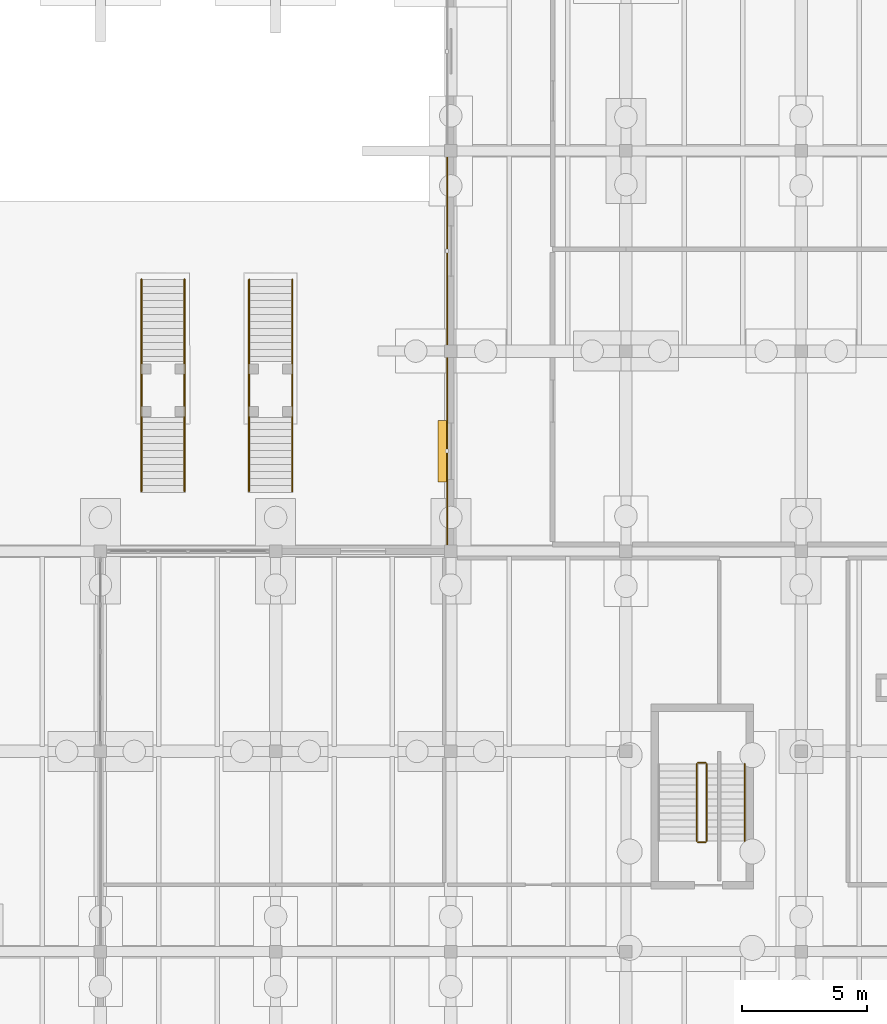
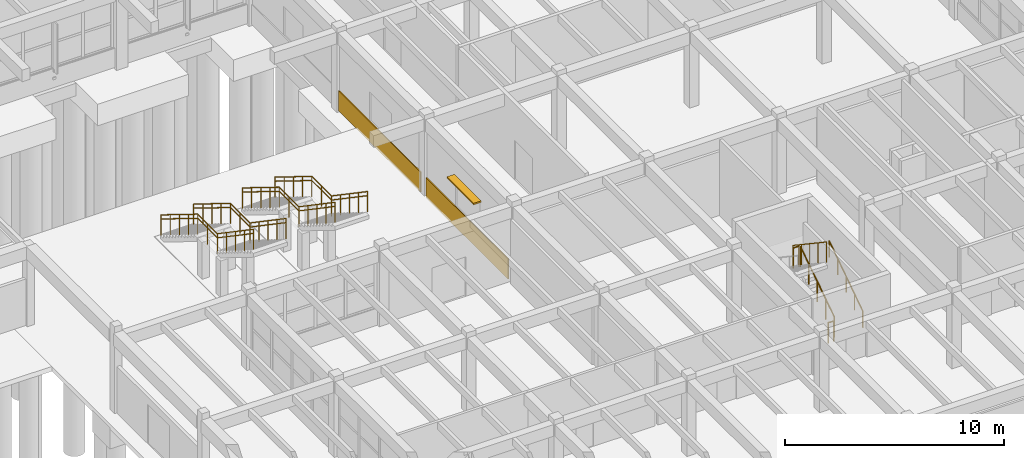
# One storey, part 95 of 99: 13 railings, 2 coverings, 1 shading device.
"""IFC4 building model written with IfcOpenShell, lengths in metres."""

import ifcopenshell
import ifcopenshell.guid

model = None  # the IFC model being written
_history = None  # IfcOwnerHistory: only IFC2X3 demands one
_inside = {}  # id of a spatial element -> (the spatial element, [elements in it])
_under = {}  # id of a project, library or spatial element -> (it, [spatial elements below it])
_declared = {}  # id of a project -> (the project, [libraries it declares])
_typed = {}  # id of a type object -> (the type object, [elements of that type])
_made_of = {}  # id of a material, layer set ... -> (it, [elements and type objects made of it])


def new_model(schema):
    """Start an empty IFC model of exactly this schema.

    Asked for "IFC4X3", IfcOpenShell would pick the latest addendum, in which some entities
    have other attributes; the version numbers below select the first issue.
    IFC2X3 requires an IfcOwnerHistory on every rooted entity: one is made here for all.
    """
    global model, _history
    if schema == "IFC4X3":
        model = ifcopenshell.file(schema_version=(4, 3, 0, 0))
    else:
        model = ifcopenshell.file(schema=schema)
    _inside.clear()
    _under.clear()
    _declared.clear()
    _typed.clear()
    _made_of.clear()
    _history = None
    if model.schema == "IFC2X3":
        org = make("IfcOrganization", Name="unknown")
        user = make(
            "IfcPersonAndOrganization",
            ThePerson=make("IfcPerson", FamilyName="unknown"),
            TheOrganization=org,
        )
        app = make(
            "IfcApplication",
            ApplicationDeveloper=org,
            Version="unknown",
            ApplicationFullName="unknown",
            ApplicationIdentifier="unknown",
        )
        _history = make(
            "IfcOwnerHistory",
            OwningUser=user,
            OwningApplication=app,
            ChangeAction="ADDED",
            CreationDate=0,
        )
    return model


def make(cls, **values):
    """One entity of the class cls with the attributes given. An attribute that is None is left unset."""
    return model.create_entity(
        cls, **{name: value for name, value in values.items() if value is not None}
    )


def rooted(cls, **values):
    """An entity with a GlobalId (a new one), such as an element, a storey or a relation."""
    return make(cls, GlobalId=ifcopenshell.guid.new(), OwnerHistory=_history, **values)


def si_unit(unit_type, name, prefix=None):
    """IfcSIUnit, for example si_unit("LENGTHUNIT", "METRE", prefix="MILLI")."""
    return make("IfcSIUnit", UnitType=unit_type, Prefix=prefix, Name=name)


def assignment(units):
    """IfcUnitAssignment: the units of a project."""
    return None if units is None else make("IfcUnitAssignment", Units=units)


def point(xyz):
    """IfcCartesianPoint."""
    return None if xyz is None else make("IfcCartesianPoint", Coordinates=xyz)


def direction(xyz):
    """IfcDirection."""
    return None if xyz is None else make("IfcDirection", DirectionRatios=xyz)


def frame(location, z_axis=None, x_axis=None):
    """IfcAxis2Placement3D, a coordinate frame: its origin and axes. An axis left out is left unset."""
    return make(
        "IfcAxis2Placement3D",
        Location=point(location),
        Axis=direction(z_axis),
        RefDirection=direction(x_axis),
    )


def frame_2d(location, x_axis=None):
    """IfcAxis2Placement2D, a coordinate frame in the plane: its origin and x axis."""
    return make(
        "IfcAxis2Placement2D", Location=point(location), RefDirection=direction(x_axis)
    )


def origin():
    """The frame at (0, 0, 0) with its axes left unset."""
    return frame((0.0, 0.0, 0.0))


def origin_2d():
    """The frame at (0, 0) in the plane with its x axis left unset."""
    return frame_2d((0.0, 0.0))


def place(relative_to, where):
    """IfcLocalPlacement: puts the frame where relative to a parent placement (None: the world)."""
    return make(
        "IfcLocalPlacement", PlacementRelTo=relative_to, RelativePlacement=where
    )


def context(
    kind, dimensions, precision=None, world=None, true_north=None, identifier=None
):
    """IfcGeometricRepresentationContext, for example the 3D "Model" context."""
    return make(
        "IfcGeometricRepresentationContext",
        ContextIdentifier=identifier,
        ContextType=kind,
        CoordinateSpaceDimension=dimensions,
        Precision=precision,
        WorldCoordinateSystem=world,
        TrueNorth=true_north,
    )


def subcontext(parent, identifier, kind, view, scale=None):
    """IfcGeometricRepresentationSubContext, for example "Body" below "Model"."""
    return make(
        "IfcGeometricRepresentationSubContext",
        ContextIdentifier=identifier,
        ContextType=kind,
        ParentContext=parent,
        TargetScale=scale,
        TargetView=view,
    )


def project(units=None, contexts=None):
    """IfcProject with its units and contexts."""
    return rooted(
        "IfcProject",
        Name="project",
        RepresentationContexts=contexts,
        UnitsInContext=assignment(units),
    )


def spatial(cls, under=None, at=None, **own):
    """A site, building, storey or space (cls), placed at a placement, below another one or the project."""
    s = rooted(cls, ObjectPlacement=at, **own)
    if under is not None:
        _under.setdefault(under.id(), (under, []))[1].append(s)
    return s


def polyline(points):
    """IfcPolyline through the points."""
    return make("IfcPolyline", Points=[point(p) for p in points])


def profile(cls, at=None, kind="AREA", **sizes):
    """A parametric profile (cls). Its sizes go by their IFC names, for example OverallWidth=200.0."""
    return make(cls, ProfileType=kind, Position=at, **sizes)


def rectangle(**sizes):
    """IfcRectangleProfileDef."""
    return profile("IfcRectangleProfileDef", **sizes)


def circle(**sizes):
    """IfcCircleProfileDef."""
    return profile("IfcCircleProfileDef", **sizes)


def outline(outer, holes=None, kind="AREA"):
    """IfcArbitraryClosedProfileDef: a profile drawn as a closed curve; with holes, ...WithVoids."""
    if holes is None:
        return make("IfcArbitraryClosedProfileDef", ProfileType=kind, OuterCurve=outer)
    return make(
        "IfcArbitraryProfileDefWithVoids",
        ProfileType=kind,
        OuterCurve=outer,
        InnerCurves=holes,
    )


def extrude(swept, where, along, depth):
    """IfcExtrudedAreaSolid: the profile swept, set in the frame where, extruded along a direction by depth."""
    return make(
        "IfcExtrudedAreaSolid",
        SweptArea=swept,
        Position=where,
        ExtrudedDirection=direction(along),
        Depth=depth,
    )


def shape(context_of_items, identifier, shape_type, items):
    """IfcShapeRepresentation: the items that make up one representation, for example the "Body"."""
    return make(
        "IfcShapeRepresentation",
        ContextOfItems=context_of_items,
        RepresentationIdentifier=identifier,
        RepresentationType=shape_type,
        Items=items,
    )


def material(Name=None, Category=None):
    """IfcMaterial."""
    return make("IfcMaterial", Name=Name, Category=Category)


def layer(
    of_material, thickness, ventilated=None, Name=None, Category=None, Priority=None
):
    """IfcMaterialLayer: one layer of a wall or slab, of a material (None: an air gap)."""
    return make(
        "IfcMaterialLayer",
        Material=of_material,
        LayerThickness=thickness,
        IsVentilated=ventilated,
        Name=Name,
        Category=Category,
        Priority=Priority,
    )


def layer_set(layers, Name=None):
    """IfcMaterialLayerSet."""
    return make("IfcMaterialLayerSet", MaterialLayers=layers, LayerSetName=Name)


def made_of(thing, what):
    """Note that an element or type object is made of a material, layer set ...; save() writes the relation."""
    if what is not None:
        _made_of.setdefault(what.id(), (what, []))[1].append(thing)
    return thing


def type_object(cls, material=None, **own):
    """A type object (cls), such as IfcWallType, which elements share."""
    return made_of(rooted(cls, **own), material)


def element(
    cls,
    number,
    at=None,
    inside=None,
    cuts=None,
    type_object=None,
    material=None,
    context=None,
    identifier="Body",
    shape_type=None,
    held_by="IfcProductDefinitionShape",
    body=None,
    shapes=None,
    **own,
):
    """One element of the class cls, such as IfcWall. Its Tag is "e" and its number.

    at: its placement. inside: the storey or other place that contains it. cuts: it is an
    opening in that element (IfcRelVoidsElement). A single representation is given by context,
    identifier, shape_type and body (its items); several are given by shapes. held_by: the class
    of the entity that holds the representations. save() writes the other relations.
    """
    e = rooted(cls, Tag="e%d" % number, ObjectPlacement=at, **own)
    if body is not None:
        shapes = [shape(context, identifier, shape_type, body)]
    if shapes is not None:
        e.Representation = make(held_by, Representations=shapes)
    if inside is not None:
        _inside.setdefault(inside.id(), (inside, []))[1].append(e)
    if cuts is not None:
        rooted(
            "IfcRelVoidsElement", RelatingBuildingElement=cuts, RelatedOpeningElement=e
        )
    if type_object is not None:
        _typed.setdefault(type_object.id(), (type_object, []))[1].append(e)
    return made_of(e, material)


def aggregate(whole, parts):
    """IfcRelAggregates: a whole, such as a stair, and the parts it consists of."""
    return rooted("IfcRelAggregates", RelatingObject=whole, RelatedObjects=parts)


def save(model, path):
    """Write the relations noted so far, then the file.

    IfcRelAggregates (storeys below a building ...), IfcRelContainedInSpatialStructure (elements
    in a storey), IfcRelDefinesByType, IfcRelAssociatesMaterial and IfcRelDeclares: one each for
    every whole, place, type object, material and project.
    """
    for whole, parts in _under.values():
        aggregate(whole, parts)
    for where, things in _inside.values():
        rooted(
            "IfcRelContainedInSpatialStructure",
            RelatedElements=things,
            RelatingStructure=where,
        )
    for kind, things in _typed.values():
        rooted("IfcRelDefinesByType", RelatedObjects=things, RelatingType=kind)
    for what, things in _made_of.values():
        rooted("IfcRelAssociatesMaterial", RelatedObjects=things, RelatingMaterial=what)
    for by, libraries in _declared.values():
        rooted("IfcRelDeclares", RelatingContext=by, RelatedDefinitions=libraries)
    model.write(path)


model = new_model("IFC4")

# Units and contexts
model_context = context("Model", 3, precision=1e-05, world=origin(), true_north=direction((0.0, 1.0)))
body_context = subcontext(model_context, "Body", "Model", "MODEL_VIEW")
ifc_project = project(units=[si_unit("LENGTHUNIT", "METRE"), si_unit("AREAUNIT", "SQUARE_METRE"), si_unit("VOLUMEUNIT", "CUBIC_METRE"), si_unit("PLANEANGLEUNIT", "RADIAN"), si_unit("MASSUNIT", "GRAM", prefix="KILO")], contexts=[model_context])

# Site, building, storey
site_placement = place(None, origin())
site = spatial("IfcSite", under=ifc_project, at=site_placement, CompositionType="ELEMENT")
building_placement = place(site_placement, origin())
building = spatial("IfcBuilding", under=site, at=building_placement, Name="Tonlespit Floodbar School", CompositionType="ELEMENT")
storey_placement = place(building_placement, origin())
storey = spatial("IfcBuildingStorey", under=building, at=storey_placement, Name="L00", CompositionType="ELEMENT", Elevation=0.0)

# Railings
ifc_material_1 = material(Name="Galvanised Steel", Category="steel")
railing_type_1 = type_object("IfcRailingType", Name="Balustrade_Ext_1150", PredefinedType="BALUSTRADE", material=ifc_material_1)
railing_1_placement = place(storey_placement, frame((135.639892578125, 90.860107421875, 0.173095703125)))
element("IfcRailing", 1, at=railing_1_placement, inside=storey, type_object=railing_type_1, Name="ST-H1 side guard 1", PredefinedType="BALUSTRADE", context=body_context, shape_type="SweptSolid", body=[
    extrude(circle(Radius=0.02392578125, at=origin_2d()), frame((0.0, 0.0, 1.1259765625), z_axis=(0.0, -0.850623216509, 0.525775754039), x_axis=(1.0, 0.0, 0.0)), (0.0, 0.0, 1.0), 3.9501953125),
    extrude(circle(Radius=0.02392578125, at=origin_2d()), frame((0.0, -3.360107421875, 3.20263671875), z_axis=(0.0, -1.0, 0.0), x_axis=(1.0, 0.0, 0.0)), (0.0, 0.0, 1.0), 1.800048828125),
    extrude(circle(Radius=0.02392578125, at=origin_2d()), frame((0.0, -5.16015625, 3.20263671875), z_axis=(0.0, -0.826231222393, 0.56333113454), x_axis=(1.0, 0.0, 0.0)), (0.0, 0.0, 1.0), 3.994140625),
    extrude(circle(Radius=0.02099609375, at=origin_2d()), origin(), (0.0, 0.0, 1.0), 1.101806640625),
    extrude(circle(Radius=0.02099609375, at=origin_2d()), frame((0.0, -0.840087890625, 0.519287109375)), (0.0, 0.0, 1.0), 1.101806640625),
    extrude(circle(Radius=0.02099609375, at=origin_2d()), frame((0.0, -1.68017578125, 1.03857421875)), (0.0, 0.0, 1.0), 1.101806640625),
    extrude(circle(Radius=0.02099609375, at=origin_2d()), frame((0.0, -2.52001953125, 1.5576171875)), (0.0, 0.0, 1.0), 1.101806640625),
    extrude(circle(Radius=0.02099609375, at=origin_2d()), frame((0.0, -3.360107421875, 2.076904296875)), (0.0, 0.0, 1.0), 1.101806640625),
    extrude(circle(Radius=0.02099609375, at=origin_2d()), frame((0.0, -4.26025390625, 2.076904296875)), (0.0, 0.0, 1.0), 1.101806640625),
    extrude(circle(Radius=0.02099609375, at=origin_2d()), frame((0.0, -5.16015625, 2.076904296875)), (0.0, 0.0, 1.0), 1.101806640625),
    extrude(circle(Radius=0.02099609375, at=origin_2d()), frame((0.0, -5.985107421875, 2.639404296875)), (0.0, 0.0, 1.0), 1.101806640625),
    extrude(circle(Radius=0.02099609375, at=origin_2d()), frame((0.0, -6.81005859375, 3.201904296875)), (0.0, 0.0, 1.0), 1.101806640625),
    extrude(circle(Radius=0.02099609375, at=origin_2d()), frame((0.0, -7.63525390625, 3.764404296875)), (0.0, 0.0, 1.0), 1.101806640625),
    extrude(circle(Radius=0.02099609375, at=origin_2d()), frame((0.0, -8.460205078125, 4.326904296875)), (0.0, 0.0, 1.0), 1.101806640625),
])
railing_2_placement = place(storey_placement, frame((137.360107421875, 90.860107421875, 0.173095703125)))
element("IfcRailing", 2, at=railing_2_placement, inside=storey, type_object=railing_type_1, Name="ST-H1 side guard 2", PredefinedType="BALUSTRADE", context=body_context, shape_type="SweptSolid", body=[
    extrude(circle(Radius=0.02392578125, at=origin_2d()), frame((0.0, 0.0, 1.1259765625), z_axis=(0.0, -0.850623216509, 0.525775754039), x_axis=(1.0, 0.0, 0.0)), (0.0, 0.0, 1.0), 3.9501953125),
    extrude(circle(Radius=0.02392578125, at=origin_2d()), frame((0.0, -3.360107421875, 3.20263671875), z_axis=(0.0, -1.0, 0.0), x_axis=(1.0, 0.0, 0.0)), (0.0, 0.0, 1.0), 1.800048828125),
    extrude(circle(Radius=0.02392578125, at=origin_2d()), frame((0.0, -5.16015625, 3.20263671875), z_axis=(0.0, -0.826231222393, 0.56333113454), x_axis=(1.0, 0.0, 0.0)), (0.0, 0.0, 1.0), 3.994140625),
    extrude(circle(Radius=0.02099609375, at=origin_2d()), origin(), (0.0, 0.0, 1.0), 1.101806640625),
    extrude(circle(Radius=0.02099609375, at=origin_2d()), frame((0.0, -0.840087890625, 0.519287109375)), (0.0, 0.0, 1.0), 1.101806640625),
    extrude(circle(Radius=0.02099609375, at=origin_2d()), frame((0.0, -1.68017578125, 1.03857421875)), (0.0, 0.0, 1.0), 1.101806640625),
    extrude(circle(Radius=0.02099609375, at=origin_2d()), frame((0.0, -2.52001953125, 1.5576171875)), (0.0, 0.0, 1.0), 1.101806640625),
    extrude(circle(Radius=0.02099609375, at=origin_2d()), frame((0.0, -3.360107421875, 2.076904296875)), (0.0, 0.0, 1.0), 1.101806640625),
    extrude(circle(Radius=0.02099609375, at=origin_2d()), frame((0.0, -4.26025390625, 2.076904296875)), (0.0, 0.0, 1.0), 1.101806640625),
    extrude(circle(Radius=0.02099609375, at=origin_2d()), frame((0.0, -5.16015625, 2.076904296875)), (0.0, 0.0, 1.0), 1.101806640625),
    extrude(circle(Radius=0.02099609375, at=origin_2d()), frame((0.0, -5.985107421875, 2.639404296875)), (0.0, 0.0, 1.0), 1.101806640625),
    extrude(circle(Radius=0.02099609375, at=origin_2d()), frame((0.0, -6.81005859375, 3.201904296875)), (0.0, 0.0, 1.0), 1.101806640625),
    extrude(circle(Radius=0.02099609375, at=origin_2d()), frame((0.0, -7.63525390625, 3.764404296875)), (0.0, 0.0, 1.0), 1.101806640625),
    extrude(circle(Radius=0.02099609375, at=origin_2d()), frame((0.0, -8.460205078125, 4.326904296875)), (0.0, 0.0, 1.0), 1.101806640625),
])
railing_3_placement = place(storey_placement, frame((139.93994140625, 90.860107421875, 0.173095703125)))
element("IfcRailing", 3, at=railing_3_placement, inside=storey, type_object=railing_type_1, Name="ST-H2 side guard 1", PredefinedType="BALUSTRADE", context=body_context, shape_type="SweptSolid", body=[
    extrude(circle(Radius=0.02392578125, at=origin_2d()), frame((0.0, 0.0, 1.1259765625), z_axis=(0.0, -0.850623216509, 0.525775754039), x_axis=(1.0, 0.0, 0.0)), (0.0, 0.0, 1.0), 3.9501953125),
    extrude(circle(Radius=0.02392578125, at=origin_2d()), frame((0.0, -3.360107421875, 3.20263671875), z_axis=(0.0, -1.0, 0.0), x_axis=(1.0, 0.0, 0.0)), (0.0, 0.0, 1.0), 1.800048828125),
    extrude(circle(Radius=0.02392578125, at=origin_2d()), frame((0.0, -5.16015625, 3.20263671875), z_axis=(0.0, -0.826231222393, 0.56333113454), x_axis=(1.0, 0.0, 0.0)), (0.0, 0.0, 1.0), 3.994140625),
    extrude(circle(Radius=0.02099609375, at=origin_2d()), origin(), (0.0, 0.0, 1.0), 1.101806640625),
    extrude(circle(Radius=0.02099609375, at=origin_2d()), frame((0.0, -0.840087890625, 0.519287109375)), (0.0, 0.0, 1.0), 1.101806640625),
    extrude(circle(Radius=0.02099609375, at=origin_2d()), frame((0.0, -1.68017578125, 1.03857421875)), (0.0, 0.0, 1.0), 1.101806640625),
    extrude(circle(Radius=0.02099609375, at=origin_2d()), frame((0.0, -2.52001953125, 1.5576171875)), (0.0, 0.0, 1.0), 1.101806640625),
    extrude(circle(Radius=0.02099609375, at=origin_2d()), frame((0.0, -3.360107421875, 2.076904296875)), (0.0, 0.0, 1.0), 1.101806640625),
    extrude(circle(Radius=0.02099609375, at=origin_2d()), frame((0.0, -4.26025390625, 2.076904296875)), (0.0, 0.0, 1.0), 1.101806640625),
    extrude(circle(Radius=0.02099609375, at=origin_2d()), frame((0.0, -5.16015625, 2.076904296875)), (0.0, 0.0, 1.0), 1.101806640625),
    extrude(circle(Radius=0.02099609375, at=origin_2d()), frame((0.0, -5.985107421875, 2.639404296875)), (0.0, 0.0, 1.0), 1.101806640625),
    extrude(circle(Radius=0.02099609375, at=origin_2d()), frame((0.0, -6.81005859375, 3.201904296875)), (0.0, 0.0, 1.0), 1.101806640625),
    extrude(circle(Radius=0.02099609375, at=origin_2d()), frame((0.0, -7.63525390625, 3.764404296875)), (0.0, 0.0, 1.0), 1.101806640625),
    extrude(circle(Radius=0.02099609375, at=origin_2d()), frame((0.0, -8.460205078125, 4.326904296875)), (0.0, 0.0, 1.0), 1.101806640625),
])
railing_4_placement = place(storey_placement, frame((141.659912109375, 90.860107421875, 0.173095703125)))
element("IfcRailing", 4, at=railing_4_placement, inside=storey, type_object=railing_type_1, Name="ST-H2 side guard 2", PredefinedType="BALUSTRADE", context=body_context, shape_type="SweptSolid", body=[
    extrude(circle(Radius=0.02392578125, at=origin_2d()), frame((0.0, 0.0, 1.1259765625), z_axis=(0.0, -0.850623216509, 0.525775754039), x_axis=(1.0, 0.0, 0.0)), (0.0, 0.0, 1.0), 3.9501953125),
    extrude(circle(Radius=0.02392578125, at=origin_2d()), frame((0.0, -3.360107421875, 3.20263671875), z_axis=(0.0, -1.0, 0.0), x_axis=(1.0, 0.0, 0.0)), (0.0, 0.0, 1.0), 1.800048828125),
    extrude(circle(Radius=0.02392578125, at=origin_2d()), frame((0.0, -5.16015625, 3.20263671875), z_axis=(0.0, -0.826231222393, 0.56333113454), x_axis=(1.0, 0.0, 0.0)), (0.0, 0.0, 1.0), 3.994140625),
    extrude(circle(Radius=0.02099609375, at=origin_2d()), origin(), (0.0, 0.0, 1.0), 1.101806640625),
    extrude(circle(Radius=0.02099609375, at=origin_2d()), frame((0.0, -0.840087890625, 0.519287109375)), (0.0, 0.0, 1.0), 1.101806640625),
    extrude(circle(Radius=0.02099609375, at=origin_2d()), frame((0.0, -1.68017578125, 1.03857421875)), (0.0, 0.0, 1.0), 1.101806640625),
    extrude(circle(Radius=0.02099609375, at=origin_2d()), frame((0.0, -2.52001953125, 1.5576171875)), (0.0, 0.0, 1.0), 1.101806640625),
    extrude(circle(Radius=0.02099609375, at=origin_2d()), frame((0.0, -3.360107421875, 2.076904296875)), (0.0, 0.0, 1.0), 1.101806640625),
    extrude(circle(Radius=0.02099609375, at=origin_2d()), frame((0.0, -4.26025390625, 2.076904296875)), (0.0, 0.0, 1.0), 1.101806640625),
    extrude(circle(Radius=0.02099609375, at=origin_2d()), frame((0.0, -5.16015625, 2.076904296875)), (0.0, 0.0, 1.0), 1.101806640625),
    extrude(circle(Radius=0.02099609375, at=origin_2d()), frame((0.0, -5.985107421875, 2.639404296875)), (0.0, 0.0, 1.0), 1.101806640625),
    extrude(circle(Radius=0.02099609375, at=origin_2d()), frame((0.0, -6.81005859375, 3.201904296875)), (0.0, 0.0, 1.0), 1.101806640625),
    extrude(circle(Radius=0.02099609375, at=origin_2d()), frame((0.0, -7.63525390625, 3.764404296875)), (0.0, 0.0, 1.0), 1.101806640625),
    extrude(circle(Radius=0.02099609375, at=origin_2d()), frame((0.0, -8.460205078125, 4.326904296875)), (0.0, 0.0, 1.0), 1.101806640625),
])

# Coverings
ifc_material_2 = material(Name="White Architectural Aluminium", Category="aluminium")
ifc_layer_1 = layer(ifc_material_2, 0.050048828125)
ifc_layer_set_1 = layer_set([ifc_layer_1], Name="White Architectural Aluminium")
covering_type = type_object("IfcCoveringType", Name="Cladding_WhiteBand_50", PredefinedType="CLADDING", material=ifc_layer_set_1)
covering_1_placement = place(storey_placement, frame((0.0, 0.0, -0.1201171875)))
element("IfcCovering", 5, at=covering_1_placement, inside=storey, type_object=covering_type, Name="L00 curved white spandrel cladding 0625", PredefinedType="CLADDING", context=body_context, shape_type="SweptSolid", body=[
    extrude(outline(polyline([(147.8798828125, 88.25), (147.8798828125, 95.75), (147.830078125, 95.75), (147.830078125, 88.25), (147.8798828125, 88.25)])), origin(), (0.0, 0.0, 1.0), 1.1201171875),
])
covering_2_placement = place(storey_placement, frame((0.0, 0.0, -0.1201171875)))
element("IfcCovering", 6, at=covering_2_placement, inside=storey, type_object=covering_type, Name="L00 curved white spandrel cladding 0626", PredefinedType="CLADDING", context=body_context, shape_type="SweptSolid", body=[
    extrude(outline(polyline([(147.8798828125, 80.25), (147.8798828125, 87.75), (147.830078125, 87.75), (147.830078125, 80.25), (147.8798828125, 80.25)])), origin(), (0.0, 0.0, 1.0), 1.1201171875),
])

# Railings
railing_type_2 = type_object("IfcRailingType", Name="Guard_Int_1150", PredefinedType="BALUSTRADE", material=ifc_material_1)
railing_5_placement = place(storey_placement, frame((158.22998046875, 68.419921875, 0.1875)))
element("IfcRailing", 7, at=railing_5_placement, inside=storey, type_object=railing_type_2, Name="L00 ST-C5 stair guard 1", PredefinedType="BALUSTRADE", context=body_context, shape_type="SweptSolid", body=[
    extrude(circle(Radius=0.02392578125, at=origin_2d()), frame((0.0, 0.0, 1.1259765625), z_axis=(0.0, 0.830913701846, 0.55640131208), x_axis=(-1.0, 0.0, 0.0)), (0.0, 0.0, 1.0), 3.706787109375),
    extrude(circle(Radius=0.02099609375, at=origin_2d()), origin(), (0.0, 0.0, 1.0), 1.101806640625),
    extrude(circle(Radius=0.02099609375, at=origin_2d()), frame((0.0, 0.77001953125, 0.515625)), (0.0, 0.0, 1.0), 1.101806640625),
    extrude(circle(Radius=0.02099609375, at=origin_2d()), frame((0.0, 1.5400390625, 1.03125)), (0.0, 0.0, 1.0), 1.101806640625),
    extrude(circle(Radius=0.02099609375, at=origin_2d()), frame((0.0, 2.31005859375, 1.546875)), (0.0, 0.0, 1.0), 1.101806640625),
    extrude(circle(Radius=0.02099609375, at=origin_2d()), frame((0.0, 3.080078125, 2.0625)), (0.0, 0.0, 1.0), 1.101806640625),
])
railing_6_placement = place(storey_placement, frame((158.179931640625, 71.550048828125, 2.25)))
element("IfcRailing", 8, at=railing_6_placement, inside=storey, type_object=railing_type_2, Name="L00 ST-C5 stair guard 2", PredefinedType="BALUSTRADE", context=body_context, shape_type="SweptSolid", body=[
    extrude(circle(Radius=0.02392578125, at=origin_2d()), frame((0.0, 0.0, 1.1259765625), z_axis=(-1.0, 0.0, 0.0), x_axis=(0.0, -1.0, 0.0)), (0.0, 0.0, 1.0), 0.300048828125),
    extrude(circle(Radius=0.02099609375, at=origin_2d()), origin(), (0.0, 0.0, 1.0), 1.101806640625),
    extrude(circle(Radius=0.02099609375, at=origin_2d()), frame((-0.300048828125, 0.0, 0.0)), (0.0, 0.0, 1.0), 1.101806640625),
])
railing_7_placement = place(storey_placement, frame((157.830078125, 71.5, 2.4375)))
element("IfcRailing", 9, at=railing_7_placement, inside=storey, type_object=railing_type_2, Name="L00 ST-C5 stair guard 3", PredefinedType="BALUSTRADE", context=body_context, shape_type="SweptSolid", body=[
    extrude(circle(Radius=0.02392578125, at=origin_2d()), frame((0.0, 0.0, 1.1259765625), z_axis=(0.0, -0.830913701846, 0.55640131208), x_axis=(1.0, 0.0, 0.0)), (0.0, 0.0, 1.0), 3.706787109375),
    extrude(circle(Radius=0.02099609375, at=origin_2d()), origin(), (0.0, 0.0, 1.0), 1.101806640625),
    extrude(circle(Radius=0.02099609375, at=origin_2d()), frame((0.0, -0.77001953125, 0.515625)), (0.0, 0.0, 1.0), 1.101806640625),
    extrude(circle(Radius=0.02099609375, at=origin_2d()), frame((0.0, -1.5400390625, 1.03125)), (0.0, 0.0, 1.0), 1.101806640625),
    extrude(circle(Radius=0.02099609375, at=origin_2d()), frame((0.0, -2.31005859375, 1.546875)), (0.0, 0.0, 1.0), 1.101806640625),
    extrude(circle(Radius=0.02099609375, at=origin_2d()), frame((0.0, -3.080078125, 2.0625)), (0.0, 0.0, 1.0), 1.101806640625),
])
railing_8_placement = place(storey_placement, frame((158.179931640625, 68.3701171875, 0.0)))
element("IfcRailing", 10, at=railing_8_placement, inside=storey, type_object=railing_type_2, Name="L00 ST-C5 stair guard 4", PredefinedType="BALUSTRADE", context=body_context, shape_type="SweptSolid", body=[
    extrude(circle(Radius=0.02392578125, at=origin_2d()), frame((0.0, 0.0, 1.1259765625), z_axis=(-1.0, 0.0, 0.0), x_axis=(0.0, -1.0, 0.0)), (0.0, 0.0, 1.0), 0.300048828125),
    extrude(circle(Radius=0.02099609375, at=origin_2d()), origin(), (0.0, 0.0, 1.0), 1.101806640625),
    extrude(circle(Radius=0.02099609375, at=origin_2d()), frame((-0.300048828125, 0.0, 0.0)), (0.0, 0.0, 1.0), 1.101806640625),
])
railing_type_3 = type_object("IfcRailingType", Name="Handrail_Ext_920", PredefinedType="HANDRAIL", material=ifc_material_1)
railing_9_placement = place(storey_placement, frame((135.639892578125, 90.860107421875, 0.173095703125)))
element("IfcRailing", 11, at=railing_9_placement, inside=storey, type_object=railing_type_3, Name="ST-H1 handrail 1", PredefinedType="HANDRAIL", context=body_context, shape_type="SweptSolid", body=[
    extrude(circle(Radius=0.02392578125, at=origin_2d()), frame((0.0, 0.0, 0.89599609375), z_axis=(0.0, -0.850623216509, 0.525775754039), x_axis=(1.0, 0.0, 0.0)), (0.0, 0.0, 1.0), 3.9501953125),
    extrude(circle(Radius=0.02392578125, at=origin_2d()), frame((0.0, -3.360107421875, 2.97265625), z_axis=(0.0, -1.0, 0.0), x_axis=(1.0, 0.0, 0.0)), (0.0, 0.0, 1.0), 1.800048828125),
    extrude(circle(Radius=0.02392578125, at=origin_2d()), frame((0.0, -5.16015625, 2.97265625), z_axis=(0.0, -0.826231222393, 0.56333113454), x_axis=(1.0, 0.0, 0.0)), (0.0, 0.0, 1.0), 3.994140625),
    extrude(circle(Radius=0.02099609375, at=origin_2d()), origin(), (0.0, 0.0, 1.0), 0.871826171875),
    extrude(circle(Radius=0.02099609375, at=origin_2d()), frame((0.0, -0.840087890625, 0.519287109375)), (0.0, 0.0, 1.0), 0.871826171875),
    extrude(circle(Radius=0.02099609375, at=origin_2d()), frame((0.0, -1.68017578125, 1.03857421875)), (0.0, 0.0, 1.0), 0.871826171875),
    extrude(circle(Radius=0.02099609375, at=origin_2d()), frame((0.0, -2.52001953125, 1.5576171875)), (0.0, 0.0, 1.0), 0.871826171875),
    extrude(circle(Radius=0.02099609375, at=origin_2d()), frame((0.0, -3.360107421875, 2.076904296875)), (0.0, 0.0, 1.0), 0.871826171875),
    extrude(circle(Radius=0.02099609375, at=origin_2d()), frame((0.0, -4.26025390625, 2.076904296875)), (0.0, 0.0, 1.0), 0.871826171875),
    extrude(circle(Radius=0.02099609375, at=origin_2d()), frame((0.0, -5.16015625, 2.076904296875)), (0.0, 0.0, 1.0), 0.871826171875),
    extrude(circle(Radius=0.02099609375, at=origin_2d()), frame((0.0, -5.985107421875, 2.639404296875)), (0.0, 0.0, 1.0), 0.871826171875),
    extrude(circle(Radius=0.02099609375, at=origin_2d()), frame((0.0, -6.81005859375, 3.201904296875)), (0.0, 0.0, 1.0), 0.871826171875),
    extrude(circle(Radius=0.02099609375, at=origin_2d()), frame((0.0, -7.63525390625, 3.764404296875)), (0.0, 0.0, 1.0), 0.871826171875),
    extrude(circle(Radius=0.02099609375, at=origin_2d()), frame((0.0, -8.460205078125, 4.326904296875)), (0.0, 0.0, 1.0), 0.871826171875),
])
railing_10_placement = place(storey_placement, frame((137.360107421875, 90.860107421875, 0.173095703125)))
element("IfcRailing", 12, at=railing_10_placement, inside=storey, type_object=railing_type_3, Name="ST-H1 handrail 2", PredefinedType="HANDRAIL", context=body_context, shape_type="SweptSolid", body=[
    extrude(circle(Radius=0.02392578125, at=origin_2d()), frame((0.0, 0.0, 0.89599609375), z_axis=(0.0, -0.850623216509, 0.525775754039), x_axis=(1.0, 0.0, 0.0)), (0.0, 0.0, 1.0), 3.9501953125),
    extrude(circle(Radius=0.02392578125, at=origin_2d()), frame((0.0, -3.360107421875, 2.97265625), z_axis=(0.0, -1.0, 0.0), x_axis=(1.0, 0.0, 0.0)), (0.0, 0.0, 1.0), 1.800048828125),
    extrude(circle(Radius=0.02392578125, at=origin_2d()), frame((0.0, -5.16015625, 2.97265625), z_axis=(0.0, -0.826231222393, 0.56333113454), x_axis=(1.0, 0.0, 0.0)), (0.0, 0.0, 1.0), 3.994140625),
    extrude(circle(Radius=0.02099609375, at=origin_2d()), origin(), (0.0, 0.0, 1.0), 0.871826171875),
    extrude(circle(Radius=0.02099609375, at=origin_2d()), frame((0.0, -0.840087890625, 0.519287109375)), (0.0, 0.0, 1.0), 0.871826171875),
    extrude(circle(Radius=0.02099609375, at=origin_2d()), frame((0.0, -1.68017578125, 1.03857421875)), (0.0, 0.0, 1.0), 0.871826171875),
    extrude(circle(Radius=0.02099609375, at=origin_2d()), frame((0.0, -2.52001953125, 1.5576171875)), (0.0, 0.0, 1.0), 0.871826171875),
    extrude(circle(Radius=0.02099609375, at=origin_2d()), frame((0.0, -3.360107421875, 2.076904296875)), (0.0, 0.0, 1.0), 0.871826171875),
    extrude(circle(Radius=0.02099609375, at=origin_2d()), frame((0.0, -4.26025390625, 2.076904296875)), (0.0, 0.0, 1.0), 0.871826171875),
    extrude(circle(Radius=0.02099609375, at=origin_2d()), frame((0.0, -5.16015625, 2.076904296875)), (0.0, 0.0, 1.0), 0.871826171875),
    extrude(circle(Radius=0.02099609375, at=origin_2d()), frame((0.0, -5.985107421875, 2.639404296875)), (0.0, 0.0, 1.0), 0.871826171875),
    extrude(circle(Radius=0.02099609375, at=origin_2d()), frame((0.0, -6.81005859375, 3.201904296875)), (0.0, 0.0, 1.0), 0.871826171875),
    extrude(circle(Radius=0.02099609375, at=origin_2d()), frame((0.0, -7.63525390625, 3.764404296875)), (0.0, 0.0, 1.0), 0.871826171875),
    extrude(circle(Radius=0.02099609375, at=origin_2d()), frame((0.0, -8.460205078125, 4.326904296875)), (0.0, 0.0, 1.0), 0.871826171875),
])
railing_11_placement = place(storey_placement, frame((139.93994140625, 90.860107421875, 0.173095703125)))
element("IfcRailing", 13, at=railing_11_placement, inside=storey, type_object=railing_type_3, Name="ST-H2 handrail 1", PredefinedType="HANDRAIL", context=body_context, shape_type="SweptSolid", body=[
    extrude(circle(Radius=0.02392578125, at=origin_2d()), frame((0.0, 0.0, 0.89599609375), z_axis=(0.0, -0.850623216509, 0.525775754039), x_axis=(1.0, 0.0, 0.0)), (0.0, 0.0, 1.0), 3.9501953125),
    extrude(circle(Radius=0.02392578125, at=origin_2d()), frame((0.0, -3.360107421875, 2.97265625), z_axis=(0.0, -1.0, 0.0), x_axis=(1.0, 0.0, 0.0)), (0.0, 0.0, 1.0), 1.800048828125),
    extrude(circle(Radius=0.02392578125, at=origin_2d()), frame((0.0, -5.16015625, 2.97265625), z_axis=(0.0, -0.826231222393, 0.56333113454), x_axis=(1.0, 0.0, 0.0)), (0.0, 0.0, 1.0), 3.994140625),
    extrude(circle(Radius=0.02099609375, at=origin_2d()), origin(), (0.0, 0.0, 1.0), 0.871826171875),
    extrude(circle(Radius=0.02099609375, at=origin_2d()), frame((0.0, -0.840087890625, 0.519287109375)), (0.0, 0.0, 1.0), 0.871826171875),
    extrude(circle(Radius=0.02099609375, at=origin_2d()), frame((0.0, -1.68017578125, 1.03857421875)), (0.0, 0.0, 1.0), 0.871826171875),
    extrude(circle(Radius=0.02099609375, at=origin_2d()), frame((0.0, -2.52001953125, 1.5576171875)), (0.0, 0.0, 1.0), 0.871826171875),
    extrude(circle(Radius=0.02099609375, at=origin_2d()), frame((0.0, -3.360107421875, 2.076904296875)), (0.0, 0.0, 1.0), 0.871826171875),
    extrude(circle(Radius=0.02099609375, at=origin_2d()), frame((0.0, -4.26025390625, 2.076904296875)), (0.0, 0.0, 1.0), 0.871826171875),
    extrude(circle(Radius=0.02099609375, at=origin_2d()), frame((0.0, -5.16015625, 2.076904296875)), (0.0, 0.0, 1.0), 0.871826171875),
    extrude(circle(Radius=0.02099609375, at=origin_2d()), frame((0.0, -5.985107421875, 2.639404296875)), (0.0, 0.0, 1.0), 0.871826171875),
    extrude(circle(Radius=0.02099609375, at=origin_2d()), frame((0.0, -6.81005859375, 3.201904296875)), (0.0, 0.0, 1.0), 0.871826171875),
    extrude(circle(Radius=0.02099609375, at=origin_2d()), frame((0.0, -7.63525390625, 3.764404296875)), (0.0, 0.0, 1.0), 0.871826171875),
    extrude(circle(Radius=0.02099609375, at=origin_2d()), frame((0.0, -8.460205078125, 4.326904296875)), (0.0, 0.0, 1.0), 0.871826171875),
])
railing_12_placement = place(storey_placement, frame((141.659912109375, 90.860107421875, 0.173095703125)))
element("IfcRailing", 14, at=railing_12_placement, inside=storey, type_object=railing_type_3, Name="ST-H2 handrail 2", PredefinedType="HANDRAIL", context=body_context, shape_type="SweptSolid", body=[
    extrude(circle(Radius=0.02392578125, at=origin_2d()), frame((0.0, 0.0, 0.89599609375), z_axis=(0.0, -0.850623216509, 0.525775754039), x_axis=(1.0, 0.0, 0.0)), (0.0, 0.0, 1.0), 3.9501953125),
    extrude(circle(Radius=0.02392578125, at=origin_2d()), frame((0.0, -3.360107421875, 2.97265625), z_axis=(0.0, -1.0, 0.0), x_axis=(1.0, 0.0, 0.0)), (0.0, 0.0, 1.0), 1.800048828125),
    extrude(circle(Radius=0.02392578125, at=origin_2d()), frame((0.0, -5.16015625, 2.97265625), z_axis=(0.0, -0.826231222393, 0.56333113454), x_axis=(1.0, 0.0, 0.0)), (0.0, 0.0, 1.0), 3.994140625),
    extrude(circle(Radius=0.02099609375, at=origin_2d()), origin(), (0.0, 0.0, 1.0), 0.871826171875),
    extrude(circle(Radius=0.02099609375, at=origin_2d()), frame((0.0, -0.840087890625, 0.519287109375)), (0.0, 0.0, 1.0), 0.871826171875),
    extrude(circle(Radius=0.02099609375, at=origin_2d()), frame((0.0, -1.68017578125, 1.03857421875)), (0.0, 0.0, 1.0), 0.871826171875),
    extrude(circle(Radius=0.02099609375, at=origin_2d()), frame((0.0, -2.52001953125, 1.5576171875)), (0.0, 0.0, 1.0), 0.871826171875),
    extrude(circle(Radius=0.02099609375, at=origin_2d()), frame((0.0, -3.360107421875, 2.076904296875)), (0.0, 0.0, 1.0), 0.871826171875),
    extrude(circle(Radius=0.02099609375, at=origin_2d()), frame((0.0, -4.26025390625, 2.076904296875)), (0.0, 0.0, 1.0), 0.871826171875),
    extrude(circle(Radius=0.02099609375, at=origin_2d()), frame((0.0, -5.16015625, 2.076904296875)), (0.0, 0.0, 1.0), 0.871826171875),
    extrude(circle(Radius=0.02099609375, at=origin_2d()), frame((0.0, -5.985107421875, 2.639404296875)), (0.0, 0.0, 1.0), 0.871826171875),
    extrude(circle(Radius=0.02099609375, at=origin_2d()), frame((0.0, -6.81005859375, 3.201904296875)), (0.0, 0.0, 1.0), 0.871826171875),
    extrude(circle(Radius=0.02099609375, at=origin_2d()), frame((0.0, -7.63525390625, 3.764404296875)), (0.0, 0.0, 1.0), 0.871826171875),
    extrude(circle(Radius=0.02099609375, at=origin_2d()), frame((0.0, -8.460205078125, 4.326904296875)), (0.0, 0.0, 1.0), 0.871826171875),
])
railing_type_4 = type_object("IfcRailingType", Name="Handrail_Int_920", PredefinedType="HANDRAIL", material=ifc_material_1)
railing_13_placement = place(storey_placement, frame((159.75, 68.419921875, 0.1875)))
element("IfcRailing", 15, at=railing_13_placement, inside=storey, type_object=railing_type_4, Name="L00 ST-C5 stair handrail 1", PredefinedType="HANDRAIL", context=body_context, shape_type="SweptSolid", body=[
    extrude(circle(Radius=0.02392578125, at=origin_2d()), frame((0.0, 0.0, 0.89599609375), z_axis=(0.0, 0.830913701846, 0.55640131208), x_axis=(-1.0, 0.0, 0.0)), (0.0, 0.0, 1.0), 3.706787109375),
    extrude(circle(Radius=0.02099609375, at=origin_2d()), origin(), (0.0, 0.0, 1.0), 0.871826171875),
    extrude(circle(Radius=0.02099609375, at=origin_2d()), frame((0.0, 0.77001953125, 0.515625)), (0.0, 0.0, 1.0), 0.871826171875),
    extrude(circle(Radius=0.02099609375, at=origin_2d()), frame((0.0, 1.5400390625, 1.03125)), (0.0, 0.0, 1.0), 0.871826171875),
    extrude(circle(Radius=0.02099609375, at=origin_2d()), frame((0.0, 2.31005859375, 1.546875)), (0.0, 0.0, 1.0), 0.871826171875),
    extrude(circle(Radius=0.02099609375, at=origin_2d()), frame((0.0, 3.080078125, 2.0625)), (0.0, 0.0, 1.0), 0.871826171875),
])

# Shading device
ifc_material_3 = material(Name="Anodised Aluminium", Category="aluminium")
ifc_layer_2 = layer(ifc_material_3, 0.080078125)
ifc_layer_set_2 = layer_set([ifc_layer_2], Name="Anodised Aluminium")
shading_device_type = type_object("IfcShadingDeviceType", Name="Shading_MonsoonJalousie_400", PredefinedType="JALOUSIE", material=ifc_layer_set_2)
shading_device_placement = place(storey_placement, frame((147.681884765625, 84.0, 2.619873046875), z_axis=(0.0, 0.0, 1.0), x_axis=(0.0, 1.0, 0.0)))
element("IfcShadingDevice", 16, at=shading_device_placement, inside=storey, type_object=shading_device_type, Name="L00 monsoon jalousie 229", PredefinedType="JALOUSIE", context=body_context, shape_type="SweptSolid", body=[
    extrude(rectangle(XDim=2.449951171875, YDim=0.39990234375, at=origin_2d()), origin(), (0.0, 0.0, 1.0), 0.080078125),
])

save(model, "model.ifc")
